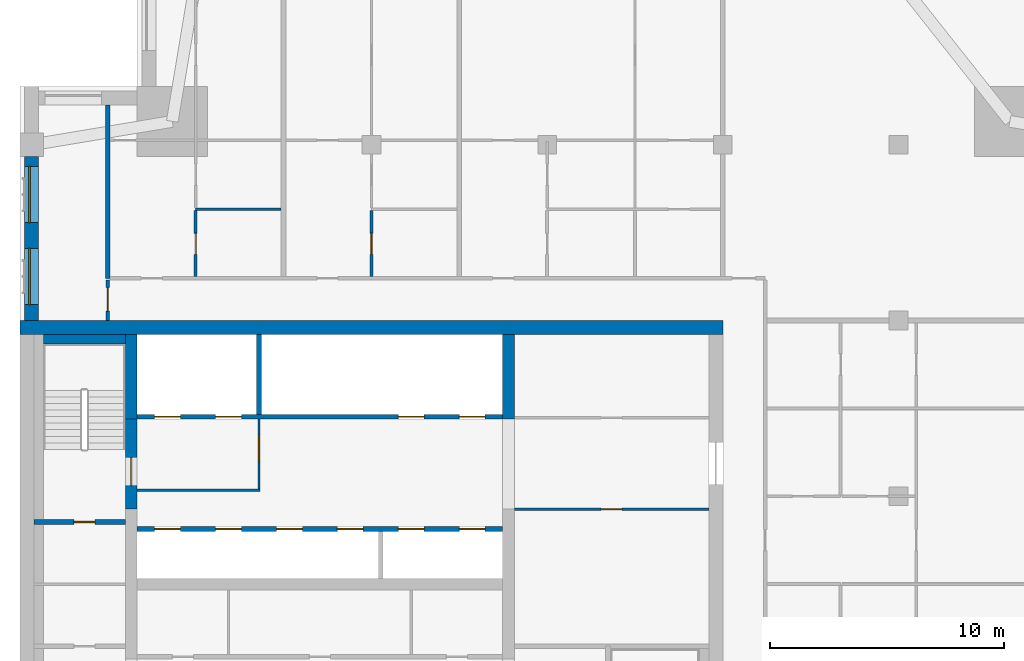
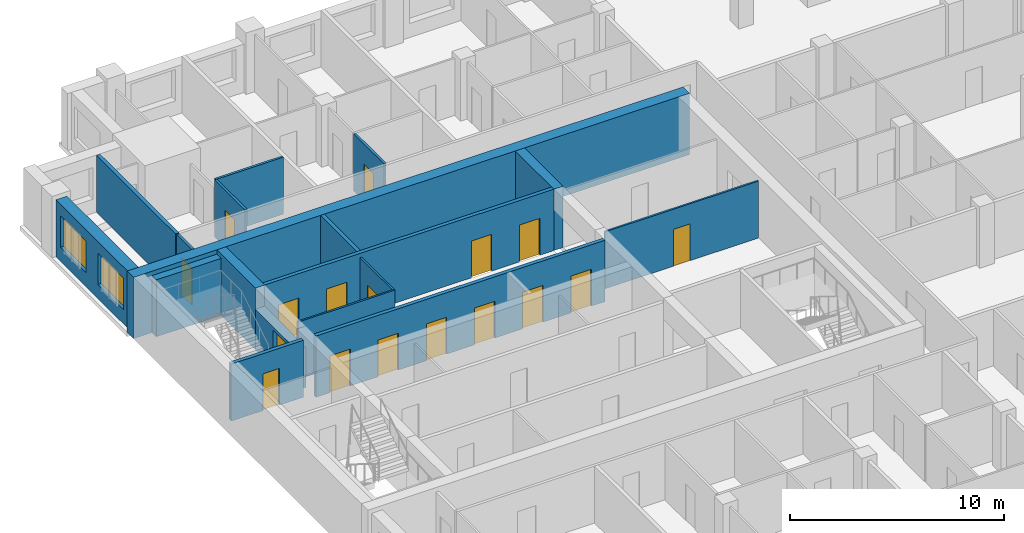
# One storey, part 6 of 11: 18 walls, 17 doors, 2 windows, 19 openings.
"""IFC4 building model written with IfcOpenShell, lengths in metres."""

import ifcopenshell
import ifcopenshell.guid

model = None  # the IFC model being written
_history = None  # IfcOwnerHistory: only IFC2X3 demands one
_inside = {}  # id of a spatial element -> (the spatial element, [elements in it])
_under = {}  # id of a project, library or spatial element -> (it, [spatial elements below it])
_declared = {}  # id of a project -> (the project, [libraries it declares])
_typed = {}  # id of a type object -> (the type object, [elements of that type])
_made_of = {}  # id of a material, layer set ... -> (it, [elements and type objects made of it])


def new_model(schema):
    """Start an empty IFC model of exactly this schema.

    Asked for "IFC4X3", IfcOpenShell would pick the latest addendum, in which some entities
    have other attributes; the version numbers below select the first issue.
    IFC2X3 requires an IfcOwnerHistory on every rooted entity: one is made here for all.
    """
    global model, _history
    if schema == "IFC4X3":
        model = ifcopenshell.file(schema_version=(4, 3, 0, 0))
    else:
        model = ifcopenshell.file(schema=schema)
    _inside.clear()
    _under.clear()
    _declared.clear()
    _typed.clear()
    _made_of.clear()
    _history = None
    if model.schema == "IFC2X3":
        org = make("IfcOrganization", Name="unknown")
        user = make(
            "IfcPersonAndOrganization",
            ThePerson=make("IfcPerson", FamilyName="unknown"),
            TheOrganization=org,
        )
        app = make(
            "IfcApplication",
            ApplicationDeveloper=org,
            Version="unknown",
            ApplicationFullName="unknown",
            ApplicationIdentifier="unknown",
        )
        _history = make(
            "IfcOwnerHistory",
            OwningUser=user,
            OwningApplication=app,
            ChangeAction="ADDED",
            CreationDate=0,
        )
    return model


def make(cls, **values):
    """One entity of the class cls with the attributes given. An attribute that is None is left unset."""
    return model.create_entity(
        cls, **{name: value for name, value in values.items() if value is not None}
    )


def rooted(cls, **values):
    """An entity with a GlobalId (a new one), such as an element, a storey or a relation."""
    return make(cls, GlobalId=ifcopenshell.guid.new(), OwnerHistory=_history, **values)


def si_unit(unit_type, name, prefix=None):
    """IfcSIUnit, for example si_unit("LENGTHUNIT", "METRE", prefix="MILLI")."""
    return make("IfcSIUnit", UnitType=unit_type, Prefix=prefix, Name=name)


def assignment(units):
    """IfcUnitAssignment: the units of a project."""
    return None if units is None else make("IfcUnitAssignment", Units=units)


def point(xyz):
    """IfcCartesianPoint."""
    return None if xyz is None else make("IfcCartesianPoint", Coordinates=xyz)


def direction(xyz):
    """IfcDirection."""
    return None if xyz is None else make("IfcDirection", DirectionRatios=xyz)


def frame(location, z_axis=None, x_axis=None):
    """IfcAxis2Placement3D, a coordinate frame: its origin and axes. An axis left out is left unset."""
    return make(
        "IfcAxis2Placement3D",
        Location=point(location),
        Axis=direction(z_axis),
        RefDirection=direction(x_axis),
    )


def frame_2d(location, x_axis=None):
    """IfcAxis2Placement2D, a coordinate frame in the plane: its origin and x axis."""
    return make(
        "IfcAxis2Placement2D", Location=point(location), RefDirection=direction(x_axis)
    )


def origin():
    """The frame at (0, 0, 0) with its axes left unset."""
    return frame((0.0, 0.0, 0.0))


def place(relative_to, where):
    """IfcLocalPlacement: puts the frame where relative to a parent placement (None: the world)."""
    return make(
        "IfcLocalPlacement", PlacementRelTo=relative_to, RelativePlacement=where
    )


def context(
    kind, dimensions, precision=None, world=None, true_north=None, identifier=None
):
    """IfcGeometricRepresentationContext, for example the 3D "Model" context."""
    return make(
        "IfcGeometricRepresentationContext",
        ContextIdentifier=identifier,
        ContextType=kind,
        CoordinateSpaceDimension=dimensions,
        Precision=precision,
        WorldCoordinateSystem=world,
        TrueNorth=true_north,
    )


def subcontext(parent, identifier, kind, view, scale=None):
    """IfcGeometricRepresentationSubContext, for example "Body" below "Model"."""
    return make(
        "IfcGeometricRepresentationSubContext",
        ContextIdentifier=identifier,
        ContextType=kind,
        ParentContext=parent,
        TargetScale=scale,
        TargetView=view,
    )


def project(units=None, contexts=None):
    """IfcProject with its units and contexts."""
    return rooted(
        "IfcProject",
        Name="project",
        RepresentationContexts=contexts,
        UnitsInContext=assignment(units),
    )


def spatial(cls, under=None, at=None, **own):
    """A site, building, storey or space (cls), placed at a placement, below another one or the project."""
    s = rooted(cls, ObjectPlacement=at, **own)
    if under is not None:
        _under.setdefault(under.id(), (under, []))[1].append(s)
    return s


def profile(cls, at=None, kind="AREA", **sizes):
    """A parametric profile (cls). Its sizes go by their IFC names, for example OverallWidth=200.0."""
    return make(cls, ProfileType=kind, Position=at, **sizes)


def rectangle(**sizes):
    """IfcRectangleProfileDef."""
    return profile("IfcRectangleProfileDef", **sizes)


def extrude(swept, where, along, depth):
    """IfcExtrudedAreaSolid: the profile swept, set in the frame where, extruded along a direction by depth."""
    return make(
        "IfcExtrudedAreaSolid",
        SweptArea=swept,
        Position=where,
        ExtrudedDirection=direction(along),
        Depth=depth,
    )


def shape(context_of_items, identifier, shape_type, items):
    """IfcShapeRepresentation: the items that make up one representation, for example the "Body"."""
    return make(
        "IfcShapeRepresentation",
        ContextOfItems=context_of_items,
        RepresentationIdentifier=identifier,
        RepresentationType=shape_type,
        Items=items,
    )


def material(Name=None, Category=None):
    """IfcMaterial."""
    return make("IfcMaterial", Name=Name, Category=Category)


def layer(
    of_material, thickness, ventilated=None, Name=None, Category=None, Priority=None
):
    """IfcMaterialLayer: one layer of a wall or slab, of a material (None: an air gap)."""
    return make(
        "IfcMaterialLayer",
        Material=of_material,
        LayerThickness=thickness,
        IsVentilated=ventilated,
        Name=Name,
        Category=Category,
        Priority=Priority,
    )


def layer_set(layers, Name=None):
    """IfcMaterialLayerSet."""
    return make("IfcMaterialLayerSet", MaterialLayers=layers, LayerSetName=Name)


def made_of(thing, what):
    """Note that an element or type object is made of a material, layer set ...; save() writes the relation."""
    if what is not None:
        _made_of.setdefault(what.id(), (what, []))[1].append(thing)
    return thing


def type_object(cls, material=None, **own):
    """A type object (cls), such as IfcWallType, which elements share."""
    return made_of(rooted(cls, **own), material)


def element(
    cls,
    number,
    at=None,
    inside=None,
    cuts=None,
    type_object=None,
    material=None,
    context=None,
    identifier="Body",
    shape_type=None,
    held_by="IfcProductDefinitionShape",
    body=None,
    shapes=None,
    **own,
):
    """One element of the class cls, such as IfcWall. Its Tag is "e" and its number.

    at: its placement. inside: the storey or other place that contains it. cuts: it is an
    opening in that element (IfcRelVoidsElement). A single representation is given by context,
    identifier, shape_type and body (its items); several are given by shapes. held_by: the class
    of the entity that holds the representations. save() writes the other relations.
    """
    e = rooted(cls, Tag="e%d" % number, ObjectPlacement=at, **own)
    if body is not None:
        shapes = [shape(context, identifier, shape_type, body)]
    if shapes is not None:
        e.Representation = make(held_by, Representations=shapes)
    if inside is not None:
        _inside.setdefault(inside.id(), (inside, []))[1].append(e)
    if cuts is not None:
        rooted(
            "IfcRelVoidsElement", RelatingBuildingElement=cuts, RelatedOpeningElement=e
        )
    if type_object is not None:
        _typed.setdefault(type_object.id(), (type_object, []))[1].append(e)
    return made_of(e, material)


def fill(opening, filler):
    """IfcRelFillsElement: the door or window that sits in an opening."""
    return rooted(
        "IfcRelFillsElement",
        RelatingOpeningElement=opening,
        RelatedBuildingElement=filler,
    )


def aggregate(whole, parts):
    """IfcRelAggregates: a whole, such as a stair, and the parts it consists of."""
    return rooted("IfcRelAggregates", RelatingObject=whole, RelatedObjects=parts)


def save(model, path):
    """Write the relations noted so far, then the file.

    IfcRelAggregates (storeys below a building ...), IfcRelContainedInSpatialStructure (elements
    in a storey), IfcRelDefinesByType, IfcRelAssociatesMaterial and IfcRelDeclares: one each for
    every whole, place, type object, material and project.
    """
    for whole, parts in _under.values():
        aggregate(whole, parts)
    for where, things in _inside.values():
        rooted(
            "IfcRelContainedInSpatialStructure",
            RelatedElements=things,
            RelatingStructure=where,
        )
    for kind, things in _typed.values():
        rooted("IfcRelDefinesByType", RelatedObjects=things, RelatingType=kind)
    for what, things in _made_of.values():
        rooted("IfcRelAssociatesMaterial", RelatedObjects=things, RelatingMaterial=what)
    for by, libraries in _declared.values():
        rooted("IfcRelDeclares", RelatingContext=by, RelatedDefinitions=libraries)
    model.write(path)


model = new_model("IFC4")

# Units and contexts
model_context = context("Model", 3, precision=1e-05, world=origin(), true_north=direction((0.0, 1.0)))
body_context = subcontext(model_context, "Body", "Model", "MODEL_VIEW")
ifc_project = project(units=[si_unit("LENGTHUNIT", "METRE"), si_unit("AREAUNIT", "SQUARE_METRE"), si_unit("VOLUMEUNIT", "CUBIC_METRE"), si_unit("PLANEANGLEUNIT", "RADIAN"), si_unit("MASSUNIT", "GRAM", prefix="KILO")], contexts=[model_context])

# Site, building, storey
site_placement = place(None, origin())
site = spatial("IfcSite", under=ifc_project, at=site_placement, CompositionType="ELEMENT")
building_placement = place(site_placement, origin())
building = spatial("IfcBuilding", under=site, at=building_placement, Name="Tamorin Gate", CompositionType="ELEMENT")
storey_placement = place(building_placement, frame((0.0, 0.0, 233.699951171875)))
storey = spatial("IfcBuildingStorey", under=building, at=storey_placement, Name="L58", CompositionType="ELEMENT", Elevation=233.699951171875)

# Wall, openings, windows
ifc_material_1 = material(Name="Precast concrete C40/50", Category="concrete")
ifc_layer_1 = layer(ifc_material_1, 0.60009765625)
ifc_layer_set_1 = layer_set([ifc_layer_1], Name="Precast concrete C40/50")
wall_type_1 = type_object("IfcWallType", Name="Board-marked concrete facade panel 600", PredefinedType="SOLIDWALL", material=ifc_layer_set_1)
wall_1_placement = place(storey_placement, frame((30.5, 89.5, 0.0), z_axis=(0.0, 0.0, 1.0), x_axis=(0.0, -1.0, 0.0)))
wall_1 = element("IfcWall", 1, at=wall_1_placement, inside=storey, type_object=wall_type_1, Name="Facade panel", PredefinedType="SOLIDWALL", context=body_context, shape_type="SweptSolid", body=[
    extrude(rectangle(XDim=7.0, YDim=0.60009765625, at=frame_2d((3.5, 0.0))), origin(), (0.0, 0.0, 1.0), 3.25),
])
opening_1_placement = place(wall_1_placement, frame((3.925048828125, 0.0, 0.800048828125)))
opening_1 = element("IfcOpeningElement", 2, at=opening_1_placement, cuts=wall_1, Name="Opening WN1", PredefinedType="OPENING", context=body_context, shape_type="SweptSolid", body=[
    extrude(rectangle(XDim=2.39990234375, YDim=1.800048828125, at=frame_2d((1.199951171875, 0.89990234375))), frame((0.0, 0.31005859375, 0.0), z_axis=(0.0, -1.0, 0.0), x_axis=(1.0, 0.0, 0.0)), (0.0, 0.0, 1.0), 0.6201171875),
])
opening_2_placement = place(wall_1_placement, frame((0.425048828125, 0.0, 0.800048828125)))
opening_2 = element("IfcOpeningElement", 3, at=opening_2_placement, cuts=wall_1, Name="Opening WN1", PredefinedType="OPENING", context=body_context, shape_type="SweptSolid", body=[
    extrude(rectangle(XDim=2.39990234375, YDim=1.800048828125, at=frame_2d((1.199951171875, 0.89990234375))), frame((0.0, 0.31005859375, 0.0), z_axis=(0.0, -1.0, 0.0), x_axis=(1.0, 0.0, 0.0)), (0.0, 0.0, 1.0), 0.6201171875),
])
ifc_material_2 = material(Name="Clear glass in aluminium frame", Category="aluminium")
window_type = type_object("IfcWindowType", Name="Deep-set window 2400x1800", PartitioningType="SINGLE_PANEL", PredefinedType="WINDOW", material=ifc_material_2)
window_1_placement = place(opening_1_placement, origin())
window_1 = element("IfcWindow", 4, at=window_1_placement, inside=storey, type_object=window_type, Name="Deep-set window", OverallHeight=1.800048828125, OverallWidth=2.39990234375, PartitioningType="SINGLE_PANEL", PredefinedType="WINDOW", context=body_context, shape_type="SweptSolid", body=[
    extrude(rectangle(XDim=2.39990234375, YDim=1.800048828125, at=frame_2d((1.199951171875, 0.89990234375))), frame((0.0, -0.070068359375, 0.0), z_axis=(0.0, -1.0, 0.0), x_axis=(1.0, 0.0, 0.0)), (0.0, 0.0, 1.0), 0.06005859375),
])
fill(opening_1, window_1)
window_2_placement = place(opening_2_placement, origin())
window_2 = element("IfcWindow", 5, at=window_2_placement, inside=storey, type_object=window_type, Name="Deep-set window", OverallHeight=1.800048828125, OverallWidth=2.39990234375, PartitioningType="SINGLE_PANEL", PredefinedType="WINDOW", context=body_context, shape_type="SweptSolid", body=[
    extrude(rectangle(XDim=2.39990234375, YDim=1.800048828125, at=frame_2d((1.199951171875, 0.89990234375))), frame((0.0, -0.070068359375, 0.0), z_axis=(0.0, -1.0, 0.0), x_axis=(1.0, 0.0, 0.0)), (0.0, 0.0, 1.0), 0.06005859375),
])
fill(opening_2, window_2)

# Wall, opening, door
ifc_material_3 = material(Name="Gypsum board partition")
ifc_layer_2 = layer(ifc_material_3, 0.14990234375)
ifc_layer_set_2 = layer_set([ifc_layer_2], Name="Corridor wall 150")
wall_type_2 = type_object("IfcWallType", Name="Corridor wall 150", PredefinedType="PARTITIONING", material=ifc_layer_set_2)
wall_2_placement = place(storey_placement, frame((33.75, 82.5, 0.0), z_axis=(0.0, 0.0, 1.0), x_axis=(0.0, 1.0, 0.0)))
wall_2 = element("IfcWall", 6, at=wall_2_placement, inside=storey, type_object=wall_type_2, Name="Corridor wall 150", PredefinedType="PARTITIONING", context=body_context, shape_type="SweptSolid", body=[
    extrude(rectangle(XDim=1.72509765625, YDim=0.14990234375, at=frame_2d((0.862548828125, 0.0))), origin(), (0.0, 0.0, 1.0), 3.25),
])
opening_3_placement = place(wall_2_placement, frame((0.39990234375, 0.0, 0.0)))
opening_3 = element("IfcOpeningElement", 7, at=opening_3_placement, cuts=wall_2, Name="Opening DR8026", PredefinedType="OPENING", context=body_context, shape_type="SweptSolid", body=[
    extrude(rectangle(XDim=1.0, YDim=2.10009765625, at=frame_2d((0.5, 1.050048828125))), frame((0.0, 0.0849609375, 0.0), z_axis=(0.0, -1.0, 0.0), x_axis=(1.0, 0.0, 0.0)), (0.0, 0.0, 1.0), 0.169921875),
])
ifc_material_4 = material(Name="Timber door leaf", Category="wood")
door_type_1 = type_object("IfcDoorType", Name="Door 1000 x 2100 FD30S", OperationType="NOTDEFINED", PredefinedType="DOOR", material=ifc_material_4)
door_1_placement = place(opening_3_placement, origin())
door_1 = element("IfcDoor", 8, at=door_1_placement, inside=storey, type_object=door_type_1, Name="Door DR8026", OperationType="SINGLE_SWING_LEFT", OverallHeight=2.10009765625, OverallWidth=1.0, PredefinedType="DOOR", context=body_context, shape_type="SweptSolid", body=[
    extrude(rectangle(XDim=1.0, YDim=2.10009765625, at=frame_2d((0.5, 1.050048828125))), frame((0.0, 0.02490234375, 0.0), z_axis=(0.0, -1.0, 0.0), x_axis=(1.0, 0.0, 0.0)), (0.0, 0.0, 1.0), 0.050048828125),
])
fill(opening_3, door_1)

# Wall
ifc_layer_3 = layer(ifc_material_3, 0.199951171875)
ifc_layer_set_3 = layer_set([ifc_layer_3], Name="Demising wall 200")
wall_type_3 = type_object("IfcWallType", Name="Demising wall 200", PredefinedType="PARTITIONING", material=ifc_layer_set_3)
wall_3_placement = place(storey_placement, frame((33.75, 84.300048828125, 0.0), z_axis=(0.0, 0.0, 1.0), x_axis=(0.0, 1.0, 0.0)))
element("IfcWall", 9, at=wall_3_placement, inside=storey, type_object=wall_type_3, Name="Demising wall 200", PredefinedType="PARTITIONING", context=body_context, shape_type="SweptSolid", body=[
    extrude(rectangle(XDim=7.389892578125, YDim=0.199951171875, at=frame_2d((3.69482421875, 0.0))), origin(), (0.0, 0.0, 1.0), 3.25),
])

# Wall, openings, doors
ifc_material_5 = material(Name="Concrete C32/40", Category="concrete")
ifc_layer_4 = layer(ifc_material_5, 0.199951171875)
ifc_layer_set_4 = layer_set([ifc_layer_4], Name="Lift lobby face wall 200 EI 120")
wall_type_4 = type_object("IfcWallType", Name="Lift lobby face wall 200 EI 120", PredefinedType="SOLIDWALL", material=ifc_layer_set_4)
wall_4_placement = place(storey_placement, frame((35.0, 73.60009765625, 0.0), z_axis=(0.0, 0.0, 1.0), x_axis=(1.0, 0.0, 0.0)))
wall_4 = element("IfcWall", 10, at=wall_4_placement, inside=storey, type_object=wall_type_4, Name="Lift lobby face wall", PredefinedType="SOLIDWALL", context=body_context, shape_type="SweptSolid", body=[
    extrude(rectangle(XDim=15.60009765625, YDim=0.199951171875, at=frame_2d((7.800048828125, 0.0))), origin(), (0.0, 0.0, 1.0), 3.5),
])
opening_4_placement = place(wall_4_placement, frame((0.75, 0.0, 0.0)))
opening_4 = element("IfcOpeningElement", 11, at=opening_4_placement, cuts=wall_4, Name="Opening LD11", PredefinedType="OPENING", context=body_context, shape_type="SweptSolid", body=[
    extrude(rectangle(XDim=1.10009765625, YDim=2.10009765625, at=frame_2d((0.550048828125, 1.050048828125))), frame((0.0, 0.10986328125, 0.0), z_axis=(0.0, -1.0, 0.0), x_axis=(1.0, 0.0, 0.0)), (0.0, 0.0, 1.0), 0.219970703125),
])
opening_5_placement = place(wall_4_placement, frame((3.35009765625, 0.0, 0.0)))
opening_5 = element("IfcOpeningElement", 12, at=opening_5_placement, cuts=wall_4, Name="Opening LD12", PredefinedType="OPENING", context=body_context, shape_type="SweptSolid", body=[
    extrude(rectangle(XDim=1.10009765625, YDim=2.10009765625, at=frame_2d((0.550048828125, 1.050048828125))), frame((0.0, 0.10986328125, 0.0), z_axis=(0.0, -1.0, 0.0), x_axis=(1.0, 0.0, 0.0)), (0.0, 0.0, 1.0), 0.219970703125),
])
opening_6_placement = place(wall_4_placement, frame((5.949951171875, 0.0, 0.0)))
opening_6 = element("IfcOpeningElement", 13, at=opening_6_placement, cuts=wall_4, Name="Opening LD13", PredefinedType="OPENING", context=body_context, shape_type="SweptSolid", body=[
    extrude(rectangle(XDim=1.10009765625, YDim=2.10009765625, at=frame_2d((0.550048828125, 1.050048828125))), frame((0.0, 0.10986328125, 0.0), z_axis=(0.0, -1.0, 0.0), x_axis=(1.0, 0.0, 0.0)), (0.0, 0.0, 1.0), 0.219970703125),
])
opening_7_placement = place(wall_4_placement, frame((8.550048828125, 0.0, 0.0)))
opening_7 = element("IfcOpeningElement", 14, at=opening_7_placement, cuts=wall_4, Name="Opening LD14", PredefinedType="OPENING", context=body_context, shape_type="SweptSolid", body=[
    extrude(rectangle(XDim=1.10009765625, YDim=2.10009765625, at=frame_2d((0.550048828125, 1.050048828125))), frame((0.0, 0.10986328125, 0.0), z_axis=(0.0, -1.0, 0.0), x_axis=(1.0, 0.0, 0.0)), (0.0, 0.0, 1.0), 0.219970703125),
])
opening_8_placement = place(wall_4_placement, frame((11.14990234375, 0.0, 0.0)))
opening_8 = element("IfcOpeningElement", 15, at=opening_8_placement, cuts=wall_4, Name="Opening LD15", PredefinedType="OPENING", context=body_context, shape_type="SweptSolid", body=[
    extrude(rectangle(XDim=1.10009765625, YDim=2.10009765625, at=frame_2d((0.550048828125, 1.050048828125))), frame((0.0, 0.10986328125, 0.0), z_axis=(0.0, -1.0, 0.0), x_axis=(1.0, 0.0, 0.0)), (0.0, 0.0, 1.0), 0.219970703125),
])
opening_9_placement = place(wall_4_placement, frame((13.75, 0.0, 0.0)))
opening_9 = element("IfcOpeningElement", 16, at=opening_9_placement, cuts=wall_4, Name="Opening LD16", PredefinedType="OPENING", context=body_context, shape_type="SweptSolid", body=[
    extrude(rectangle(XDim=1.10009765625, YDim=2.10009765625, at=frame_2d((0.550048828125, 1.050048828125))), frame((0.0, 0.10986328125, 0.0), z_axis=(0.0, -1.0, 0.0), x_axis=(1.0, 0.0, 0.0)), (0.0, 0.0, 1.0), 0.219970703125),
])
ifc_material_6 = material(Name="Stainless steel sliding door", Category="steel")
door_type_2 = type_object("IfcDoorType", Name="Lift landing door 1100 x 2100 E 90", OperationType="DOUBLE_DOOR_SLIDING", PredefinedType="DOOR", material=ifc_material_6)
door_2_placement = place(opening_4_placement, origin())
door_2 = element("IfcDoor", 17, at=door_2_placement, inside=storey, type_object=door_type_2, Name="HR1 landing door", OperationType="DOUBLE_DOOR_SLIDING", OverallHeight=2.10009765625, OverallWidth=1.10009765625, PredefinedType="DOOR", context=body_context, shape_type="SweptSolid", body=[
    extrude(rectangle(XDim=1.10009765625, YDim=2.10009765625, at=frame_2d((0.550048828125, 1.050048828125))), frame((0.0, 0.02490234375, 0.0), z_axis=(0.0, -1.0, 0.0), x_axis=(1.0, 0.0, 0.0)), (0.0, 0.0, 1.0), 0.050048828125),
])
fill(opening_4, door_2)
door_3_placement = place(opening_5_placement, origin())
door_3 = element("IfcDoor", 18, at=door_3_placement, inside=storey, type_object=door_type_2, Name="HR2 landing door", OperationType="DOUBLE_DOOR_SLIDING", OverallHeight=2.10009765625, OverallWidth=1.10009765625, PredefinedType="DOOR", context=body_context, shape_type="SweptSolid", body=[
    extrude(rectangle(XDim=1.10009765625, YDim=2.10009765625, at=frame_2d((0.550048828125, 1.050048828125))), frame((0.0, 0.02490234375, 0.0), z_axis=(0.0, -1.0, 0.0), x_axis=(1.0, 0.0, 0.0)), (0.0, 0.0, 1.0), 0.050048828125),
])
fill(opening_5, door_3)
door_4_placement = place(opening_6_placement, origin())
door_4 = element("IfcDoor", 19, at=door_4_placement, inside=storey, type_object=door_type_2, Name="HR3 landing door", OperationType="DOUBLE_DOOR_SLIDING", OverallHeight=2.10009765625, OverallWidth=1.10009765625, PredefinedType="DOOR", context=body_context, shape_type="SweptSolid", body=[
    extrude(rectangle(XDim=1.10009765625, YDim=2.10009765625, at=frame_2d((0.550048828125, 1.050048828125))), frame((0.0, 0.02490234375, 0.0), z_axis=(0.0, -1.0, 0.0), x_axis=(1.0, 0.0, 0.0)), (0.0, 0.0, 1.0), 0.050048828125),
])
fill(opening_6, door_4)
door_5_placement = place(opening_7_placement, origin())
door_5 = element("IfcDoor", 20, at=door_5_placement, inside=storey, type_object=door_type_2, Name="HR4 landing door", OperationType="DOUBLE_DOOR_SLIDING", OverallHeight=2.10009765625, OverallWidth=1.10009765625, PredefinedType="DOOR", context=body_context, shape_type="SweptSolid", body=[
    extrude(rectangle(XDim=1.10009765625, YDim=2.10009765625, at=frame_2d((0.550048828125, 1.050048828125))), frame((0.0, 0.02490234375, 0.0), z_axis=(0.0, -1.0, 0.0), x_axis=(1.0, 0.0, 0.0)), (0.0, 0.0, 1.0), 0.050048828125),
])
fill(opening_7, door_5)
door_6_placement = place(opening_8_placement, origin())
door_6 = element("IfcDoor", 21, at=door_6_placement, inside=storey, type_object=door_type_2, Name="HR5 landing door", OperationType="DOUBLE_DOOR_SLIDING", OverallHeight=2.10009765625, OverallWidth=1.10009765625, PredefinedType="DOOR", context=body_context, shape_type="SweptSolid", body=[
    extrude(rectangle(XDim=1.10009765625, YDim=2.10009765625, at=frame_2d((0.550048828125, 1.050048828125))), frame((0.0, 0.02490234375, 0.0), z_axis=(0.0, -1.0, 0.0), x_axis=(1.0, 0.0, 0.0)), (0.0, 0.0, 1.0), 0.050048828125),
])
fill(opening_8, door_6)
door_7_placement = place(opening_9_placement, origin())
door_7 = element("IfcDoor", 22, at=door_7_placement, inside=storey, type_object=door_type_2, Name="HR6 landing door", OperationType="DOUBLE_DOOR_SLIDING", OverallHeight=2.10009765625, OverallWidth=1.10009765625, PredefinedType="DOOR", context=body_context, shape_type="SweptSolid", body=[
    extrude(rectangle(XDim=1.10009765625, YDim=2.10009765625, at=frame_2d((0.550048828125, 1.050048828125))), frame((0.0, 0.02490234375, 0.0), z_axis=(0.0, -1.0, 0.0), x_axis=(1.0, 0.0, 0.0)), (0.0, 0.0, 1.0), 0.050048828125),
])
fill(opening_9, door_7)

wall_5_placement = place(storey_placement, frame((35.0, 78.39990234375, 0.0), z_axis=(0.0, 0.0, 1.0), x_axis=(1.0, 0.0, 0.0)))
wall_5 = element("IfcWall", 23, at=wall_5_placement, inside=storey, type_object=wall_type_4, Name="Lift lobby face wall", PredefinedType="SOLIDWALL", context=body_context, shape_type="SweptSolid", body=[
    extrude(rectangle(XDim=15.60009765625, YDim=0.199951171875, at=frame_2d((7.800048828125, 0.0))), origin(), (0.0, 0.0, 1.0), 3.5),
])
opening_10_placement = place(wall_5_placement, frame((0.75, 0.0, 0.0)))
opening_10 = element("IfcOpeningElement", 24, at=opening_10_placement, cuts=wall_5, Name="Opening LD17", PredefinedType="OPENING", context=body_context, shape_type="SweptSolid", body=[
    extrude(rectangle(XDim=1.10009765625, YDim=2.10009765625, at=frame_2d((0.550048828125, 1.050048828125))), frame((0.0, 0.10986328125, 0.0), z_axis=(0.0, -1.0, 0.0), x_axis=(1.0, 0.0, 0.0)), (0.0, 0.0, 1.0), 0.219970703125),
])
opening_11_placement = place(wall_5_placement, frame((3.35009765625, 0.0, 0.0)))
opening_11 = element("IfcOpeningElement", 25, at=opening_11_placement, cuts=wall_5, Name="Opening LD18", PredefinedType="OPENING", context=body_context, shape_type="SweptSolid", body=[
    extrude(rectangle(XDim=1.10009765625, YDim=2.10009765625, at=frame_2d((0.550048828125, 1.050048828125))), frame((0.0, 0.10986328125, 0.0), z_axis=(0.0, -1.0, 0.0), x_axis=(1.0, 0.0, 0.0)), (0.0, 0.0, 1.0), 0.219970703125),
])
opening_12_placement = place(wall_5_placement, frame((11.14990234375, 0.0, 0.0)))
opening_12 = element("IfcOpeningElement", 26, at=opening_12_placement, cuts=wall_5, Name="Opening LD21", PredefinedType="OPENING", context=body_context, shape_type="SweptSolid", body=[
    extrude(rectangle(XDim=1.10009765625, YDim=2.10009765625, at=frame_2d((0.550048828125, 1.050048828125))), frame((0.0, 0.10986328125, 0.0), z_axis=(0.0, -1.0, 0.0), x_axis=(1.0, 0.0, 0.0)), (0.0, 0.0, 1.0), 0.219970703125),
])
opening_13_placement = place(wall_5_placement, frame((13.75, 0.0, 0.0)))
opening_13 = element("IfcOpeningElement", 27, at=opening_13_placement, cuts=wall_5, Name="Opening LD22", PredefinedType="OPENING", context=body_context, shape_type="SweptSolid", body=[
    extrude(rectangle(XDim=1.10009765625, YDim=2.10009765625, at=frame_2d((0.550048828125, 1.050048828125))), frame((0.0, 0.10986328125, 0.0), z_axis=(0.0, -1.0, 0.0), x_axis=(1.0, 0.0, 0.0)), (0.0, 0.0, 1.0), 0.219970703125),
])
door_8_placement = place(opening_10_placement, origin())
door_8 = element("IfcDoor", 28, at=door_8_placement, inside=storey, type_object=door_type_2, Name="FF1 landing door", OperationType="DOUBLE_DOOR_SLIDING", OverallHeight=2.10009765625, OverallWidth=1.10009765625, PredefinedType="DOOR", context=body_context, shape_type="SweptSolid", body=[
    extrude(rectangle(XDim=1.10009765625, YDim=2.10009765625, at=frame_2d((0.550048828125, 1.050048828125))), frame((0.0, 0.02490234375, 0.0), z_axis=(0.0, -1.0, 0.0), x_axis=(1.0, 0.0, 0.0)), (0.0, 0.0, 1.0), 0.050048828125),
])
fill(opening_10, door_8)
door_9_placement = place(opening_11_placement, origin())
door_9 = element("IfcDoor", 29, at=door_9_placement, inside=storey, type_object=door_type_2, Name="FF2 landing door", OperationType="DOUBLE_DOOR_SLIDING", OverallHeight=2.10009765625, OverallWidth=1.10009765625, PredefinedType="DOOR", context=body_context, shape_type="SweptSolid", body=[
    extrude(rectangle(XDim=1.10009765625, YDim=2.10009765625, at=frame_2d((0.550048828125, 1.050048828125))), frame((0.0, 0.02490234375, 0.0), z_axis=(0.0, -1.0, 0.0), x_axis=(1.0, 0.0, 0.0)), (0.0, 0.0, 1.0), 0.050048828125),
])
fill(opening_11, door_9)
door_10_placement = place(opening_12_placement, origin())
door_10 = element("IfcDoor", 30, at=door_10_placement, inside=storey, type_object=door_type_2, Name="SV1 landing door", OperationType="DOUBLE_DOOR_SLIDING", OverallHeight=2.10009765625, OverallWidth=1.10009765625, PredefinedType="DOOR", context=body_context, shape_type="SweptSolid", body=[
    extrude(rectangle(XDim=1.10009765625, YDim=2.10009765625, at=frame_2d((0.550048828125, 1.050048828125))), frame((0.0, 0.02490234375, 0.0), z_axis=(0.0, -1.0, 0.0), x_axis=(1.0, 0.0, 0.0)), (0.0, 0.0, 1.0), 0.050048828125),
])
fill(opening_12, door_10)
door_11_placement = place(opening_13_placement, origin())
door_11 = element("IfcDoor", 31, at=door_11_placement, inside=storey, type_object=door_type_2, Name="SV2 landing door", OperationType="DOUBLE_DOOR_SLIDING", OverallHeight=2.10009765625, OverallWidth=1.10009765625, PredefinedType="DOOR", context=body_context, shape_type="SweptSolid", body=[
    extrude(rectangle(XDim=1.10009765625, YDim=2.10009765625, at=frame_2d((0.550048828125, 1.050048828125))), frame((0.0, 0.02490234375, 0.0), z_axis=(0.0, -1.0, 0.0), x_axis=(1.0, 0.0, 0.0)), (0.0, 0.0, 1.0), 0.050048828125),
])
fill(opening_13, door_11)

# Walls
ifc_layer_5 = layer(ifc_material_5, 0.199951171875)
ifc_layer_set_5 = layer_set([ifc_layer_5], Name="Lift shaft wall 200 EI 120")
wall_type_5 = type_object("IfcWallType", Name="Lift shaft wall 200 EI 120", PredefinedType="SOLIDWALL", material=ifc_layer_set_5)
wall_6_placement = place(storey_placement, frame((40.199951171875, 78.5, 0.0), z_axis=(0.0, 0.0, 1.0), x_axis=(0.0, 1.0, 0.0)))
element("IfcWall", 32, at=wall_6_placement, inside=storey, type_object=wall_type_5, Name="Lift shaft wall", PredefinedType="SOLIDWALL", context=body_context, shape_type="SweptSolid", body=[
    extrude(rectangle(XDim=3.39990234375, YDim=0.199951171875, at=frame_2d((1.699951171875, 0.0))), origin(), (0.0, 0.0, 1.0), 3.5),
])
ifc_material_7 = material(Name="Fire-rated gypsum board partition")
ifc_layer_6 = layer(ifc_material_7, 0.10009765625)
ifc_layer_set_6 = layer_set([ifc_layer_6], Name="Lobby wall 100 EI 60")
wall_type_6 = type_object("IfcWallType", Name="Lobby wall 100 EI 60", PredefinedType="PARTITIONING", material=ifc_layer_set_6)
wall_7_placement = place(storey_placement, frame((35.0, 75.25, 0.0), z_axis=(0.0, 0.0, 1.0), x_axis=(1.0, 0.0, 0.0)))
element("IfcWall", 33, at=wall_7_placement, inside=storey, type_object=wall_type_6, Name="Firefighting lobby wall", PredefinedType="PARTITIONING", context=body_context, shape_type="SweptSolid", body=[
    extrude(rectangle(XDim=5.25, YDim=0.10009765625, at=frame_2d((2.625, 0.0))), origin(), (0.0, 0.0, 1.0), 3.25),
])

# Wall, opening, door
wall_8_placement = place(storey_placement, frame((40.199951171875, 75.300048828125, 0.0), z_axis=(0.0, 0.0, 1.0), x_axis=(0.0, 1.0, 0.0)))
wall_8 = element("IfcWall", 34, at=wall_8_placement, inside=storey, type_object=wall_type_6, Name="Firefighting lobby wall", PredefinedType="PARTITIONING", context=body_context, shape_type="SweptSolid", body=[
    extrude(rectangle(XDim=3.0, YDim=0.10009765625, at=frame_2d((1.5, 0.0))), origin(), (0.0, 0.0, 1.0), 3.25),
])
opening_14_placement = place(wall_8_placement, frame((1.199951171875, 0.0, 0.0)))
opening_14 = element("IfcOpeningElement", 35, at=opening_14_placement, cuts=wall_8, Name="Opening DF1", PredefinedType="OPENING", context=body_context, shape_type="SweptSolid", body=[
    extrude(rectangle(XDim=1.10009765625, YDim=2.10009765625, at=frame_2d((0.550048828125, 1.050048828125))), frame((0.0, 0.06005859375, 0.0), z_axis=(0.0, -1.0, 0.0), x_axis=(1.0, 0.0, 0.0)), (0.0, 0.0, 1.0), 0.1201171875),
])
ifc_material_8 = material(Name="Steel fire door", Category="steel")
door_type_3 = type_object("IfcDoorType", Name="Firefighting lobby door 1100 x 2100 EI 90", OperationType="SINGLE_SWING_LEFT", PredefinedType="DOOR", material=ifc_material_8)
door_12_placement = place(opening_14_placement, origin())
door_12 = element("IfcDoor", 36, at=door_12_placement, inside=storey, type_object=door_type_3, Name="Firefighting lobby door", OperationType="SINGLE_SWING_LEFT", OverallHeight=2.10009765625, OverallWidth=1.10009765625, PredefinedType="DOOR", context=body_context, shape_type="SweptSolid", body=[
    extrude(rectangle(XDim=1.10009765625, YDim=2.10009765625, at=frame_2d((0.550048828125, 1.050048828125))), frame((0.0, 0.02490234375, 0.0), z_axis=(0.0, -1.0, 0.0), x_axis=(1.0, 0.0, 0.0)), (0.0, 0.0, 1.0), 0.050048828125),
])
fill(opening_14, door_12)

# Walls
ifc_material_9 = material(Name="Concrete C50/60", Category="concrete")
ifc_layer_7 = layer(ifc_material_9, 0.5)
ifc_layer_set_7 = layer_set([ifc_layer_7], Name="RC core internal wall 500 C50/60")
wall_type_7 = type_object("IfcWallType", Name="RC core internal wall 500 C50/60", PredefinedType="SHEAR", material=ifc_layer_set_7)
for number, where, z_axis, x_axis, name in (
    (37, (34.75, 78.300048828125, 0.0), (0.0, 0.0, 1.0), (0.0, 1.0, 0.0), "Core cross wall L58"),
    (38, (50.85009765625, 78.300048828125, 0.0), (0.0, 0.0, 1.0), (0.0, 1.0, 0.0), "Core cross wall L58"),
):
    element("IfcWall", number, at=place(storey_placement, frame(where, z_axis=z_axis, x_axis=x_axis)), inside=storey, type_object=wall_type_7, Name=name, PredefinedType="SHEAR", context=body_context, shape_type="SweptSolid", body=[
        extrude(rectangle(XDim=3.599853515625, YDim=0.5, at=frame_2d((1.7998046875, 0.0))), origin(), (0.0, 0.0, 1.0), 3.5),
    ])
ifc_layer_8 = layer(ifc_material_9, 0.60009765625)
ifc_layer_set_8 = layer_set([ifc_layer_8], Name="RC core wall 600 C50/60")
wall_type_8 = type_object("IfcWallType", Name="RC core wall 600 C50/60", PredefinedType="SHEAR", material=ifc_layer_set_8)
wall_9_placement = place(storey_placement, frame((30.0, 82.199951171875, 0.0), z_axis=(0.0, 0.0, 1.0), x_axis=(1.0, 0.0, 0.0)))
element("IfcWall", 39, at=wall_9_placement, inside=storey, type_object=wall_type_8, Name="Core wall L58", PredefinedType="SHEAR", context=body_context, shape_type="SweptSolid", body=[
    extrude(rectangle(XDim=30.0, YDim=0.60009765625, at=frame_2d((15.0, 0.0))), origin(), (0.0, 0.0, 1.0), 3.5),
])

# Wall, opening, door
ifc_layer_9 = layer(ifc_material_3, 0.10009765625)
ifc_layer_set_9 = layer_set([ifc_layer_9], Name="Service room partition 100 EI 60")
wall_type_9 = type_object("IfcWallType", Name="Service room partition 100 EI 60", PredefinedType="PARTITIONING", material=ifc_layer_set_9)
wall_10_placement = place(storey_placement, frame((51.10009765625, 74.449951171875, 0.0), z_axis=(0.0, 0.0, 1.0), x_axis=(1.0, 0.0, 0.0)))
wall_10 = element("IfcWall", 40, at=wall_10_placement, inside=storey, type_object=wall_type_9, Name="Service room wall", PredefinedType="PARTITIONING", context=body_context, shape_type="SweptSolid", body=[
    extrude(rectangle(XDim=8.2998046875, YDim=0.10009765625, at=frame_2d((4.14990234375, 0.0))), origin(), (0.0, 0.0, 1.0), 3.25),
])
opening_15_placement = place(wall_10_placement, frame((3.699951171875, 0.0, 0.0)))
opening_15 = element("IfcOpeningElement", 41, at=opening_15_placement, cuts=wall_10, Name="Opening DR1", PredefinedType="OPENING", context=body_context, shape_type="SweptSolid", body=[
    extrude(rectangle(XDim=0.89990234375, YDim=2.10009765625, at=frame_2d((0.449951171875, 1.050048828125))), frame((0.0, 0.06005859375, 0.0), z_axis=(0.0, -1.0, 0.0), x_axis=(1.0, 0.0, 0.0)), (0.0, 0.0, 1.0), 0.1201171875),
])
door_type_4 = type_object("IfcDoorType", Name="Riser access door 900 x 2100 EI 120", OperationType="SINGLE_SWING_LEFT", PredefinedType="DOOR", material=ifc_material_8)
door_13_placement = place(opening_15_placement, origin())
door_13 = element("IfcDoor", 42, at=door_13_placement, inside=storey, type_object=door_type_4, Name="Duct riser door", OperationType="SINGLE_SWING_RIGHT", OverallHeight=2.10009765625, OverallWidth=0.89990234375, PredefinedType="DOOR", context=body_context, shape_type="SweptSolid", body=[
    extrude(rectangle(XDim=0.89990234375, YDim=2.10009765625, at=frame_2d((0.449951171875, 1.050048828125))), frame((0.0, 0.02490234375, 0.0), z_axis=(0.0, -1.0, 0.0), x_axis=(1.0, 0.0, 0.0)), (0.0, 0.0, 1.0), 0.050048828125),
])
fill(opening_15, door_13)

ifc_material_10 = material(Name="Concrete C40/50", Category="concrete")
ifc_layer_10 = layer(ifc_material_10, 0.199951171875)
ifc_layer_set_10 = layer_set([ifc_layer_10], Name="Stair enclosure wall 200 EI 120 C40/50")
wall_type_10 = type_object("IfcWallType", Name="Stair enclosure wall 200 EI 120 C40/50", PredefinedType="SOLIDWALL", material=ifc_layer_set_10)
wall_11_placement = place(storey_placement, frame((30.60009765625, 73.89990234375, 0.0), z_axis=(0.0, 0.0, 1.0), x_axis=(1.0, 0.0, 0.0)))
wall_11 = element("IfcWall", 43, at=wall_11_placement, inside=storey, type_object=wall_type_10, Name="Stair enclosure wall", PredefinedType="SOLIDWALL", context=body_context, shape_type="SweptSolid", body=[
    extrude(rectangle(XDim=3.89990234375, YDim=0.199951171875, at=frame_2d((1.949951171875, 0.0))), origin(), (0.0, 0.0, 1.0), 3.25),
])
opening_16_placement = place(wall_11_placement, frame((1.699951171875, 0.0, 0.0)))
opening_16 = element("IfcOpeningElement", 44, at=opening_16_placement, cuts=wall_11, Name="Opening DR1", PredefinedType="OPENING", context=body_context, shape_type="SweptSolid", body=[
    extrude(rectangle(XDim=0.89990234375, YDim=2.10009765625, at=frame_2d((0.449951171875, 1.050048828125))), frame((0.0, 0.10986328125, 0.0), z_axis=(0.0, -1.0, 0.0), x_axis=(1.0, 0.0, 0.0)), (0.0, 0.0, 1.0), 0.219970703125),
])
door_14_placement = place(opening_16_placement, origin())
door_14 = element("IfcDoor", 45, at=door_14_placement, inside=storey, type_object=door_type_4, Name="Communications riser door", OperationType="SINGLE_SWING_RIGHT", OverallHeight=2.10009765625, OverallWidth=0.89990234375, PredefinedType="DOOR", context=body_context, shape_type="SweptSolid", body=[
    extrude(rectangle(XDim=0.89990234375, YDim=2.10009765625, at=frame_2d((0.449951171875, 1.050048828125))), frame((0.0, 0.02490234375, 0.0), z_axis=(0.0, -1.0, 0.0), x_axis=(1.0, 0.0, 0.0)), (0.0, 0.0, 1.0), 0.050048828125),
])
fill(opening_16, door_14)

# Wall
ifc_layer_11 = layer(ifc_material_9, 0.39990234375)
ifc_layer_set_11 = layer_set([ifc_layer_11], Name="Stair lining wall 400 EI 120 C50/60")
wall_type_11 = type_object("IfcWallType", Name="Stair lining wall 400 EI 120 C50/60", PredefinedType="SOLIDWALL", material=ifc_layer_set_11)
wall_12_placement = place(storey_placement, frame((31.0, 81.699951171875, 0.0), z_axis=(0.0, 0.0, 1.0), x_axis=(1.0, 0.0, 0.0)))
element("IfcWall", 46, at=wall_12_placement, inside=storey, type_object=wall_type_11, Name="Stair lining wall", PredefinedType="SOLIDWALL", context=body_context, shape_type="SweptSolid", body=[
    extrude(rectangle(XDim=3.5, YDim=0.39990234375, at=frame_2d((1.75, 0.0))), origin(), (0.0, 0.0, 1.0), 3.25),
])

# Wall, opening, door
ifc_layer_12 = layer(ifc_material_5, 0.5)
ifc_layer_set_12 = layer_set([ifc_layer_12], Name="Stair lobby infill wall 500 EI 120")
wall_type_12 = type_object("IfcWallType", Name="Stair lobby infill wall 500 EI 120", PredefinedType="SOLIDWALL", material=ifc_layer_set_12)
wall_13_placement = place(storey_placement, frame((34.75, 74.449951171875, 0.0), z_axis=(0.0, 0.0, 1.0), x_axis=(0.0, 1.0, 0.0)))
wall_13 = element("IfcWall", 47, at=wall_13_placement, inside=storey, type_object=wall_type_12, Name="Stair lobby infill wall", PredefinedType="SOLIDWALL", context=body_context, shape_type="SweptSolid", body=[
    extrude(rectangle(XDim=3.85009765625, YDim=0.5, at=frame_2d((1.925048828125, 0.0))), origin(), (0.0, 0.0, 1.0), 2.300048828125),
])
opening_17_placement = place(wall_13_placement, frame((1.0, 0.0, 0.0)))
opening_17 = element("IfcOpeningElement", 48, at=opening_17_placement, cuts=wall_13, Name="Opening DS1", PredefinedType="OPENING", context=body_context, shape_type="SweptSolid", body=[
    extrude(rectangle(XDim=1.199951171875, YDim=2.10009765625, at=frame_2d((0.60009765625, 1.050048828125))), frame((0.0, 0.260009765625, 0.0), z_axis=(0.0, -1.0, 0.0), x_axis=(1.0, 0.0, 0.0)), (0.0, 0.0, 1.0), 0.52001953125),
])
door_type_5 = type_object("IfcDoorType", Name="Stair door 1200 x 2100 EI 90", OperationType="SINGLE_SWING_LEFT", PredefinedType="DOOR", material=ifc_material_8)
door_15_placement = place(opening_17_placement, origin())
door_15 = element("IfcDoor", 49, at=door_15_placement, inside=storey, type_object=door_type_5, Name="ST2 door", OperationType="SINGLE_SWING_RIGHT", OverallHeight=2.10009765625, OverallWidth=1.199951171875, PredefinedType="DOOR", context=body_context, shape_type="SweptSolid", body=[
    extrude(rectangle(XDim=1.199951171875, YDim=2.10009765625, at=frame_2d((0.60009765625, 1.050048828125))), frame((0.0, 0.02490234375, 0.0), z_axis=(0.0, -1.0, 0.0), x_axis=(1.0, 0.0, 0.0)), (0.0, 0.0, 1.0), 0.050048828125),
])
fill(opening_17, door_15)

# Wall
ifc_layer_13 = layer(ifc_material_3, 0.125)
ifc_layer_set_13 = layer_set([ifc_layer_13], Name="Wet wall 125")
wall_type_13 = type_object("IfcWallType", Name="Wet wall 125", PredefinedType="PARTITIONING", material=ifc_layer_set_13)
wall_14_placement = place(storey_placement, frame((37.5, 87.25, 0.0), z_axis=(0.0, 0.0, 1.0), x_axis=(1.0, 0.0, 0.0)))
element("IfcWall", 50, at=wall_14_placement, inside=storey, type_object=wall_type_13, Name="Wet wall 125", PredefinedType="PARTITIONING", context=body_context, shape_type="SweptSolid", body=[
    extrude(rectangle(XDim=3.64990234375, YDim=0.125, at=frame_2d((1.824951171875, 0.0))), origin(), (0.0, 0.0, 1.0), 3.25),
])

# Wall, opening, door
wall_15_placement = place(storey_placement, frame((37.5, 84.375, 0.0), z_axis=(0.0, 0.0, 1.0), x_axis=(0.0, 1.0, 0.0)))
wall_15 = element("IfcWall", 51, at=wall_15_placement, inside=storey, type_object=wall_type_13, Name="Wet wall 125", PredefinedType="PARTITIONING", context=body_context, shape_type="SweptSolid", body=[
    extrude(rectangle(XDim=2.8125, YDim=0.125, at=frame_2d((1.40625, 0.0))), origin(), (0.0, 0.0, 1.0), 3.25),
])
opening_18_placement = place(wall_15_placement, frame((0.949951171875, 0.0, 0.0)))
opening_18 = element("IfcOpeningElement", 52, at=opening_18_placement, cuts=wall_15, Name="Opening DR8030", PredefinedType="OPENING", context=body_context, shape_type="SweptSolid", body=[
    extrude(rectangle(XDim=0.89990234375, YDim=2.10009765625, at=frame_2d((0.449951171875, 1.050048828125))), frame((0.0, 0.072509765625, 0.0), z_axis=(0.0, -1.0, 0.0), x_axis=(1.0, 0.0, 0.0)), (0.0, 0.0, 1.0), 0.14501953125),
])
door_type_6 = type_object("IfcDoorType", Name="Door 900 x 2100", OperationType="NOTDEFINED", PredefinedType="DOOR", material=ifc_material_4)
door_16_placement = place(opening_18_placement, origin())
door_16 = element("IfcDoor", 53, at=door_16_placement, inside=storey, type_object=door_type_6, Name="Door DR8030", OperationType="SINGLE_SWING_RIGHT", OverallHeight=2.10009765625, OverallWidth=0.89990234375, PredefinedType="DOOR", context=body_context, shape_type="SweptSolid", body=[
    extrude(rectangle(XDim=0.89990234375, YDim=2.10009765625, at=frame_2d((0.449951171875, 1.050048828125))), frame((0.0, 0.02490234375, 0.0), z_axis=(0.0, -1.0, 0.0), x_axis=(1.0, 0.0, 0.0)), (0.0, 0.0, 1.0), 0.050048828125),
])
fill(opening_18, door_16)

wall_16_placement = place(storey_placement, frame((45.0, 84.375, 0.0), z_axis=(0.0, 0.0, 1.0), x_axis=(0.0, 1.0, 0.0)))
wall_16 = element("IfcWall", 54, at=wall_16_placement, inside=storey, type_object=wall_type_13, Name="Wet wall 125", PredefinedType="PARTITIONING", context=body_context, shape_type="SweptSolid", body=[
    extrude(rectangle(XDim=2.8125, YDim=0.125, at=frame_2d((1.40625, 0.0))), origin(), (0.0, 0.0, 1.0), 3.25),
])
opening_19_placement = place(wall_16_placement, frame((0.949951171875, 0.0, 0.0)))
opening_19 = element("IfcOpeningElement", 55, at=opening_19_placement, cuts=wall_16, Name="Opening DR8035", PredefinedType="OPENING", context=body_context, shape_type="SweptSolid", body=[
    extrude(rectangle(XDim=0.89990234375, YDim=2.10009765625, at=frame_2d((0.449951171875, 1.050048828125))), frame((0.0, 0.072509765625, 0.0), z_axis=(0.0, -1.0, 0.0), x_axis=(1.0, 0.0, 0.0)), (0.0, 0.0, 1.0), 0.14501953125),
])
door_17_placement = place(opening_19_placement, origin())
door_17 = element("IfcDoor", 56, at=door_17_placement, inside=storey, type_object=door_type_6, Name="Door DR8035", OperationType="SINGLE_SWING_RIGHT", OverallHeight=2.10009765625, OverallWidth=0.89990234375, PredefinedType="DOOR", context=body_context, shape_type="SweptSolid", body=[
    extrude(rectangle(XDim=0.89990234375, YDim=2.10009765625, at=frame_2d((0.449951171875, 1.050048828125))), frame((0.0, 0.02490234375, 0.0), z_axis=(0.0, -1.0, 0.0), x_axis=(1.0, 0.0, 0.0)), (0.0, 0.0, 1.0), 0.050048828125),
])
fill(opening_19, door_17)

save(model, "model.ifc")
